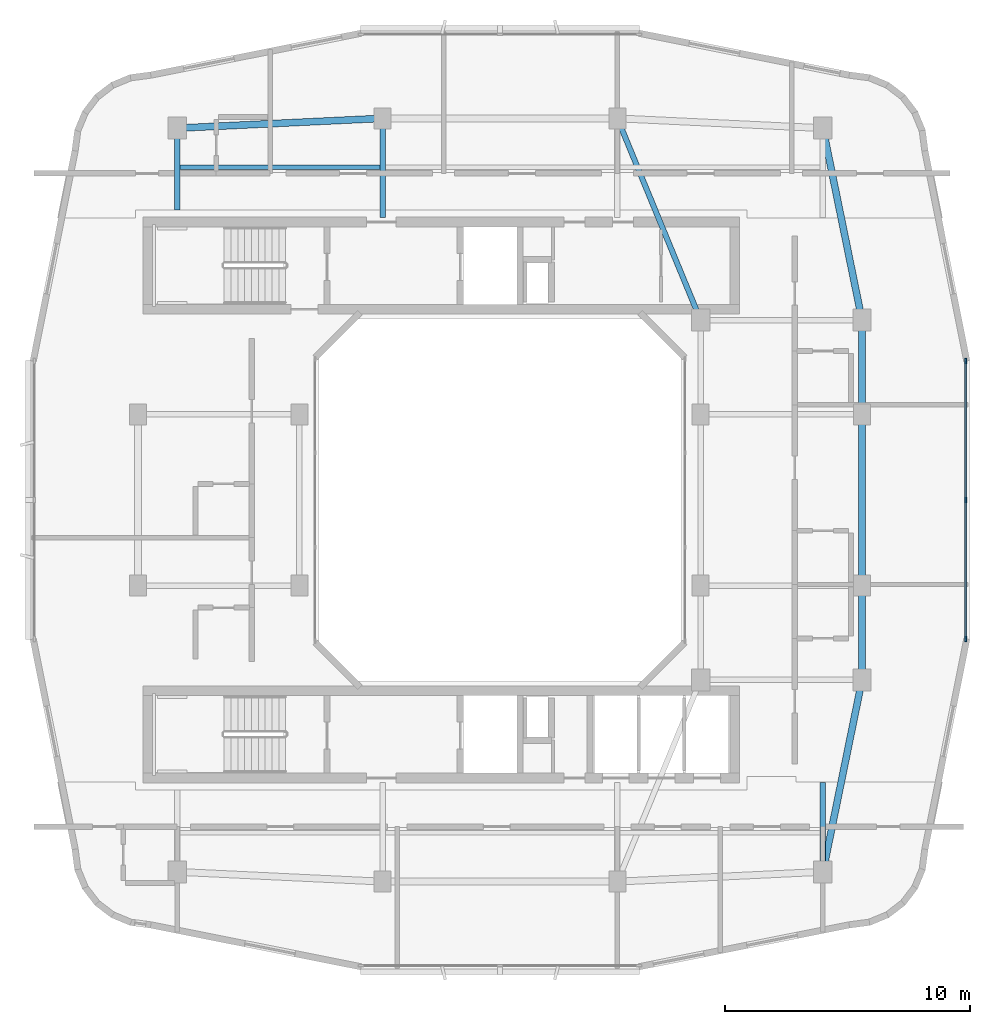
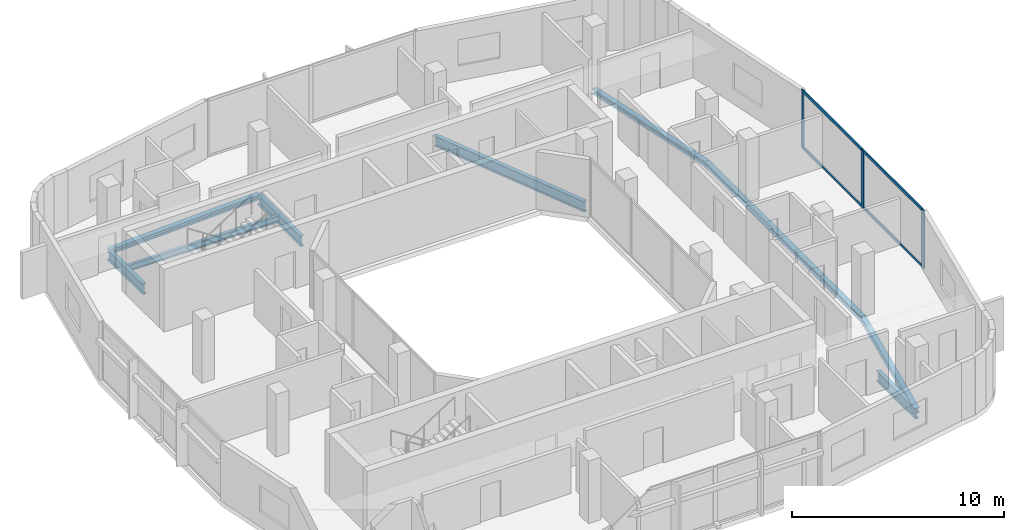
# One storey, part 4 of 14: 11 beams, 7 members, 1 element without a shape of its own.
"""IFC4 building model written with IfcOpenShell, lengths in metres."""

from ifc_helpers import new_model, si_unit, derived_unit, direction, frame, origin, origin_2d, place, context, subcontext, project, spatial, rectangle, i_section, extrude, material, layer, layer_set, material_profile, profile_set, type_object, element, aggregate, save


model = new_model("IFC4")

# Units and contexts
model_context = context("Model", 3, precision=1e-05, world=origin(), true_north=direction((0.0, 1.0)))
body_context = subcontext(model_context, "Body", "Model", "MODEL_VIEW")
ifc_project = project(units=[si_unit("LENGTHUNIT", "METRE"), si_unit("AREAUNIT", "SQUARE_METRE"), si_unit("VOLUMEUNIT", "CUBIC_METRE"), si_unit("PLANEANGLEUNIT", "RADIAN"), si_unit("MASSUNIT", "GRAM", prefix="KILO"), derived_unit("THERMALTRANSMITTANCEUNIT", [(si_unit("POWERUNIT", "WATT"), 1), (si_unit("LENGTHUNIT", "METRE"), -2), (si_unit("THERMODYNAMICTEMPERATUREUNIT", "KELVIN"), -1)])], contexts=[model_context])

# Site, building, storey
site_placement = place(None, origin())
site = spatial("IfcSite", under=ifc_project, at=site_placement, CompositionType="ELEMENT")
building_placement = place(site_placement, origin())
building = spatial("IfcBuilding", under=site, at=building_placement, Name="Kivonza Crest Hotel", CompositionType="ELEMENT")
storey_placement = place(building_placement, frame((0.0, 0.0, 213.5)))
storey = spatial("IfcBuildingStorey", under=building, at=storey_placement, Name="L58", CompositionType="ELEMENT", Elevation=213.5)

# Beams
ifc_material_1 = material(Name="Steel S355", Category="steel")
ifc_material_profile_1 = material_profile(ifc_material_1, i_section(OverallWidth=0.280029296875, OverallDepth=0.280029296875, WebThickness=0.010498046875, FlangeThickness=0.01806640625, FilletRadius=0.02392578125, at=origin_2d()), Name="HEB 280")
ifc_profile_set_1 = profile_set([ifc_material_profile_1], Name="Steel S355")
beam_type_1 = type_object("IfcBeamType", Name="BM-HEB280", PredefinedType="SPANDREL", material=ifc_profile_set_1)
beam_1_placement = place(storey_placement, frame((34.199951171875, 9.800048828125, -0.419921875), z_axis=(0.199730733965, 0.979850822273, 0.0), x_axis=(-0.979850822273, 0.199730733965, 0.0)))
element("IfcBeam", 1, at=beam_1_placement, inside=storey, type_object=beam_type_1, Name="Tower T1 L58 perimeter spandrel SE-PSE", PredefinedType="SPANDREL", context=body_context, shape_type="SweptSolid", body=[
    extrude(i_section(OverallWidth=0.280029296875, OverallDepth=0.280029296875, WebThickness=0.010498046875, FlangeThickness=0.01806640625, FilletRadius=0.02392578125, at=origin_2d()), origin(), (0.0, 0.0, 1.0), 8.01123046875),
])
beam_2_placement = place(storey_placement, frame((35.800048828125, 17.64990234375, -0.419921875), z_axis=(0.0, 1.0, 0.0), x_axis=(-1.0, 0.0, 0.0)))
element("IfcBeam", 2, at=beam_2_placement, inside=storey, type_object=beam_type_1, Name="Tower T1 L58 perimeter spandrel PSE-E1", PredefinedType="SPANDREL", context=body_context, shape_type="SweptSolid", body=[
    extrude(i_section(OverallWidth=0.280029296875, OverallDepth=0.280029296875, WebThickness=0.010498046875, FlangeThickness=0.01806640625, FilletRadius=0.02392578125, at=origin_2d()), origin(), (0.0, 0.0, 1.0), 3.85009765625),
])
beam_3_placement = place(storey_placement, frame((35.800048828125, 21.5, -0.419921875), z_axis=(0.0, 1.0, 0.0), x_axis=(-1.0, 0.0, 0.0)))
element("IfcBeam", 3, at=beam_3_placement, inside=storey, type_object=beam_type_1, Name="Tower T1 L58 perimeter spandrel E1-E2", PredefinedType="SPANDREL", context=body_context, shape_type="SweptSolid", body=[
    extrude(i_section(OverallWidth=0.280029296875, OverallDepth=0.280029296875, WebThickness=0.010498046875, FlangeThickness=0.01806640625, FilletRadius=0.02392578125, at=origin_2d()), origin(), (0.0, 0.0, 1.0), 7.0),
])
beam_4_placement = place(storey_placement, frame((35.800048828125, 28.5, -0.419921875), z_axis=(0.0, 1.0, 0.0), x_axis=(-1.0, 0.0, 0.0)))
element("IfcBeam", 4, at=beam_4_placement, inside=storey, type_object=beam_type_1, Name="Tower T1 L58 perimeter spandrel E2-PNE", PredefinedType="SPANDREL", context=body_context, shape_type="SweptSolid", body=[
    extrude(i_section(OverallWidth=0.280029296875, OverallDepth=0.280029296875, WebThickness=0.010498046875, FlangeThickness=0.01806640625, FilletRadius=0.02392578125, at=origin_2d()), origin(), (0.0, 0.0, 1.0), 3.85009765625),
])
beam_5_placement = place(storey_placement, frame((35.800048828125, 32.35009765625, -0.419921875), z_axis=(-0.199730733965, 0.979850822273, 0.0), x_axis=(-0.979850822273, -0.199730733965, 0.0)))
element("IfcBeam", 5, at=beam_5_placement, inside=storey, type_object=beam_type_1, Name="Tower T1 L58 perimeter spandrel PNE-NE", PredefinedType="SPANDREL", context=body_context, shape_type="SweptSolid", body=[
    extrude(i_section(OverallWidth=0.280029296875, OverallDepth=0.280029296875, WebThickness=0.010498046875, FlangeThickness=0.01806640625, FilletRadius=0.02392578125, at=origin_2d()), origin(), (0.0, 0.0, 1.0), 8.01123046875),
])
beam_6_placement = place(storey_placement, frame((16.199951171875, 40.60009765625, -0.419921875), z_axis=(-0.998867283688, -0.047583080799, 0.0), x_axis=(0.047583080799, -0.998867283688, 0.0)))
element("IfcBeam", 6, at=beam_6_placement, inside=storey, type_object=beam_type_1, Name="Tower T1 L58 perimeter spandrel N1-NW", PredefinedType="SPANDREL", context=body_context, shape_type="SweptSolid", body=[
    extrude(i_section(OverallWidth=0.280029296875, OverallDepth=0.280029296875, WebThickness=0.010498046875, FlangeThickness=0.01806640625, FilletRadius=0.02392578125, at=origin_2d()), origin(), (0.0, 0.0, 1.0), 8.409423828125),
])
ifc_material_profile_2 = material_profile(ifc_material_1, i_section(OverallWidth=0.169921875, OverallDepth=0.360107421875, WebThickness=0.008056640625, FlangeThickness=0.0126953125, FilletRadius=0.01806640625, at=origin_2d()), Name="IPE 360")
ifc_profile_set_2 = profile_set([ifc_material_profile_2], Name="Steel S355")
beam_type_2 = type_object("IfcBeamType", Name="BM-IPE360", PredefinedType="JOIST", material=ifc_profile_set_2)
beam_7_placement = place(storey_placement, frame((7.8798828125, 38.60009765625, -0.4599609375), z_axis=(1.0, 0.0, 0.0), x_axis=(0.0, 1.0, 0.0)))
element("IfcBeam", 7, at=beam_7_placement, inside=storey, type_object=beam_type_2, Name="Tower T1 L58 North-West floor joist", PredefinedType="JOIST", context=body_context, shape_type="SweptSolid", body=[
    extrude(i_section(OverallWidth=0.169921875, OverallDepth=0.360107421875, WebThickness=0.008056640625, FlangeThickness=0.0126953125, FilletRadius=0.01806640625, at=origin_2d()), origin(), (0.0, 0.0, 1.0), 8.240234375),
])
ifc_material_profile_3 = material_profile(ifc_material_1, i_section(OverallWidth=0.219970703125, OverallDepth=0.60009765625, WebThickness=0.011962890625, FlangeThickness=0.01904296875, FilletRadius=0.02392578125, at=origin_2d()), Name="IPE 600")
ifc_profile_set_3 = profile_set([ifc_material_profile_3], Name="Steel S355")
beam_type_3 = type_object("IfcBeamType", Name="BM-IPE600", PredefinedType="BEAM", material=ifc_profile_set_3)
beam_8_placement = place(storey_placement, frame((25.800048828125, 40.60009765625, -0.580078125), z_axis=(0.381022260404, -0.924565864109, 0.0), x_axis=(0.924565864109, 0.381022260404, 0.0)))
element("IfcBeam", 8, at=beam_8_placement, inside=storey, type_object=beam_type_3, Name="Tower T1 L58 primary girder N1-TNE", PredefinedType="BEAM", context=body_context, shape_type="SweptSolid", body=[
    extrude(i_section(OverallWidth=0.219970703125, OverallDepth=0.60009765625, WebThickness=0.011962890625, FlangeThickness=0.01904296875, FilletRadius=0.02392578125, at=origin_2d()), origin(), (0.0, 0.0, 1.0), 8.923095703125),
])
beam_9_placement = place(storey_placement, frame((34.199951171875, 9.800048828125, -0.580078125), z_axis=(0.0, 1.0, 0.0), x_axis=(-1.0, 0.0, 0.0)))
element("IfcBeam", 9, at=beam_9_placement, inside=storey, type_object=beam_type_3, Name="Tower T1 L58 radial core girder RSE", PredefinedType="BEAM", context=body_context, shape_type="SweptSolid", body=[
    extrude(i_section(OverallWidth=0.219970703125, OverallDepth=0.60009765625, WebThickness=0.011962890625, FlangeThickness=0.01904296875, FilletRadius=0.02392578125, at=origin_2d()), origin(), (0.0, 0.0, 1.0), 3.64990234375),
])
beam_10_placement = place(storey_placement, frame((7.800048828125, 40.199951171875, -0.580078125), z_axis=(0.0, -1.0, 0.0), x_axis=(1.0, 0.0, 0.0)))
element("IfcBeam", 10, at=beam_10_placement, inside=storey, type_object=beam_type_3, Name="Tower T1 L58 radial core girder RNW", PredefinedType="BEAM", context=body_context, shape_type="SweptSolid", body=[
    extrude(i_section(OverallWidth=0.219970703125, OverallDepth=0.60009765625, WebThickness=0.011962890625, FlangeThickness=0.01904296875, FilletRadius=0.02392578125, at=origin_2d()), origin(), (0.0, 0.0, 1.0), 3.349853515625),
])
beam_11_placement = place(storey_placement, frame((16.199951171875, 40.60009765625, -0.580078125), z_axis=(0.0, -1.0, 0.0), x_axis=(1.0, 0.0, 0.0)))
element("IfcBeam", 11, at=beam_11_placement, inside=storey, type_object=beam_type_3, Name="Tower T1 L58 radial core girder RN1", PredefinedType="BEAM", context=body_context, shape_type="SweptSolid", body=[
    extrude(i_section(OverallWidth=0.219970703125, OverallDepth=0.60009765625, WebThickness=0.011962890625, FlangeThickness=0.01904296875, FilletRadius=0.02392578125, at=origin_2d()), origin(), (0.0, 0.0, 1.0), 4.050048828125),
])

# Curtain wall, members
ifc_material_2 = material(Name="Anodised bronze aluminium and low-E double glazing", Category="aluminium")
ifc_layer = layer(ifc_material_2, 0.179931640625)
ifc_layer_set = layer_set([ifc_layer], Name="Anodised bronze aluminium and low-E double glazing")
curtain_wall_type = type_object("IfcCurtainWallType", Name="CW-SYS-3", PredefinedType="NOTDEFINED", material=ifc_layer_set)
curtain_wall_placement = place(storey_placement, origin())
curtain_wall = element("IfcCurtainWall", 12, at=curtain_wall_placement, inside=storey, type_object=curtain_wall_type, Name="L58 unitised curtain wall CW-T1-L58-17", PredefinedType="NOTDEFINED")
ifc_material_3 = material(Name="Anodised bronze aluminium", Category="aluminium")
ifc_material_profile_4 = material_profile(ifc_material_3, rectangle(XDim=0.074951171875, YDim=0.219970703125, at=origin_2d()), Name="CW-M 75x220")
ifc_profile_set_4 = profile_set([ifc_material_profile_4], Name="Anodised bronze aluminium")
member_type_1 = type_object("IfcMemberType", Name="CW-MUL-75x220", PredefinedType="MULLION", material=ifc_profile_set_4)
member_1_placement = place(storey_placement, frame((40.0400390625, 19.3173828125, 0.0), z_axis=(0.0, 0.0, 1.0), x_axis=(-1.0, 0.0, 0.0)))
member_1 = element("IfcMember", 13, at=member_1_placement, type_object=member_type_1, Name="CW-3 mullion 1", PredefinedType="MULLION", context=body_context, shape_type="SweptSolid", body=[
    extrude(rectangle(XDim=0.074951171875, YDim=0.219970703125, at=origin_2d()), origin(), (0.0, 0.0, 1.0), 3.320068359375),
])
member_2_placement = place(storey_placement, frame((40.0400390625, 25.0, 0.0), z_axis=(0.0, 0.0, 1.0), x_axis=(-1.0, 0.0, 0.0)))
member_2 = element("IfcMember", 14, at=member_2_placement, type_object=member_type_1, Name="CW-3 mullion 2", PredefinedType="MULLION", context=body_context, shape_type="SweptSolid", body=[
    extrude(rectangle(XDim=0.074951171875, YDim=0.219970703125, at=origin_2d()), origin(), (0.0, 0.0, 1.0), 3.320068359375),
])
member_3_placement = place(storey_placement, frame((40.0400390625, 30.6826171875, 0.0), z_axis=(0.0, 0.0, 1.0), x_axis=(-1.0, 0.0, 0.0)))
member_3 = element("IfcMember", 15, at=member_3_placement, type_object=member_type_1, Name="CW-3 mullion 3", PredefinedType="MULLION", context=body_context, shape_type="SweptSolid", body=[
    extrude(rectangle(XDim=0.074951171875, YDim=0.219970703125, at=origin_2d()), origin(), (0.0, 0.0, 1.0), 3.320068359375),
])
ifc_material_profile_5 = material_profile(ifc_material_3, rectangle(XDim=0.074951171875, YDim=0.159912109375, at=origin_2d()), Name="CW-T 75x160")
ifc_profile_set_5 = profile_set([ifc_material_profile_5], Name="Anodised bronze aluminium")
member_type_2 = type_object("IfcMemberType", Name="CW-TRN-75x160", PredefinedType="USERDEFINED", material=ifc_profile_set_5)
member_4_placement = place(storey_placement, frame((40.0400390625, 19.35498046875, 0.03759765625), z_axis=(0.0, 1.0, 0.0), x_axis=(-1.0, 0.0, 0.0)))
member_4 = element("IfcMember", 16, at=member_4_placement, type_object=member_type_2, Name="CW-3 transom 1.1", ObjectType="TRANSOM", PredefinedType="USERDEFINED", context=body_context, shape_type="SweptSolid", body=[
    extrude(rectangle(XDim=0.074951171875, YDim=0.159912109375, at=origin_2d()), origin(), (0.0, 0.0, 1.0), 5.607421875),
])
member_5_placement = place(storey_placement, frame((40.0400390625, 19.35498046875, 3.282470703125), z_axis=(0.0, 1.0, 0.0), x_axis=(-1.0, 0.0, 0.0)))
member_5 = element("IfcMember", 17, at=member_5_placement, type_object=member_type_2, Name="CW-3 transom 1.2", ObjectType="TRANSOM", PredefinedType="USERDEFINED", context=body_context, shape_type="SweptSolid", body=[
    extrude(rectangle(XDim=0.074951171875, YDim=0.159912109375, at=origin_2d()), origin(), (0.0, 0.0, 1.0), 5.607421875),
])
member_6_placement = place(storey_placement, frame((40.0400390625, 25.03759765625, 0.03759765625), z_axis=(0.0, 1.0, 0.0), x_axis=(-1.0, 0.0, 0.0)))
member_6 = element("IfcMember", 18, at=member_6_placement, type_object=member_type_2, Name="CW-3 transom 2.1", ObjectType="TRANSOM", PredefinedType="USERDEFINED", context=body_context, shape_type="SweptSolid", body=[
    extrude(rectangle(XDim=0.074951171875, YDim=0.159912109375, at=origin_2d()), origin(), (0.0, 0.0, 1.0), 5.607421875),
])
member_7_placement = place(storey_placement, frame((40.0400390625, 25.03759765625, 3.282470703125), z_axis=(0.0, 1.0, 0.0), x_axis=(-1.0, 0.0, 0.0)))
member_7 = element("IfcMember", 19, at=member_7_placement, type_object=member_type_2, Name="CW-3 transom 2.2", ObjectType="TRANSOM", PredefinedType="USERDEFINED", context=body_context, shape_type="SweptSolid", body=[
    extrude(rectangle(XDim=0.074951171875, YDim=0.159912109375, at=origin_2d()), origin(), (0.0, 0.0, 1.0), 5.607421875),
])
aggregate(curtain_wall, [member_1, member_2, member_3, member_4, member_5, member_6, member_7])

save(model, "model.ifc")
